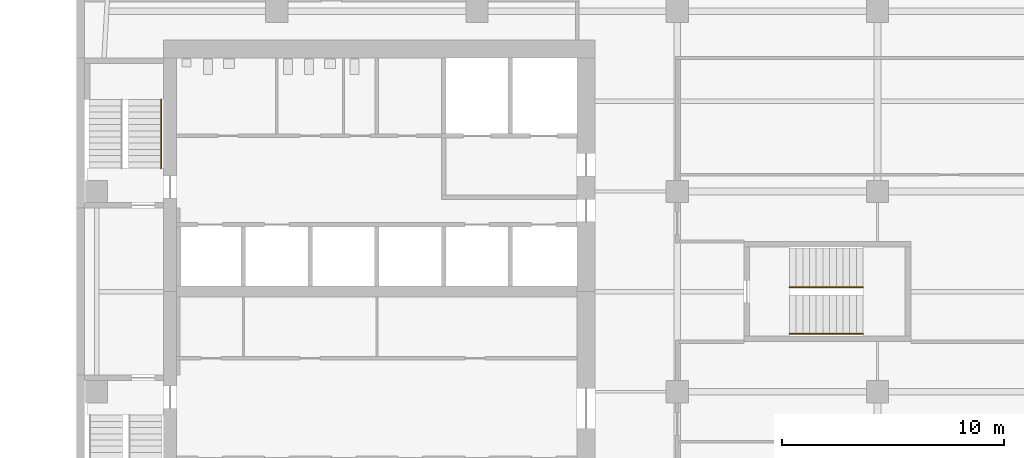
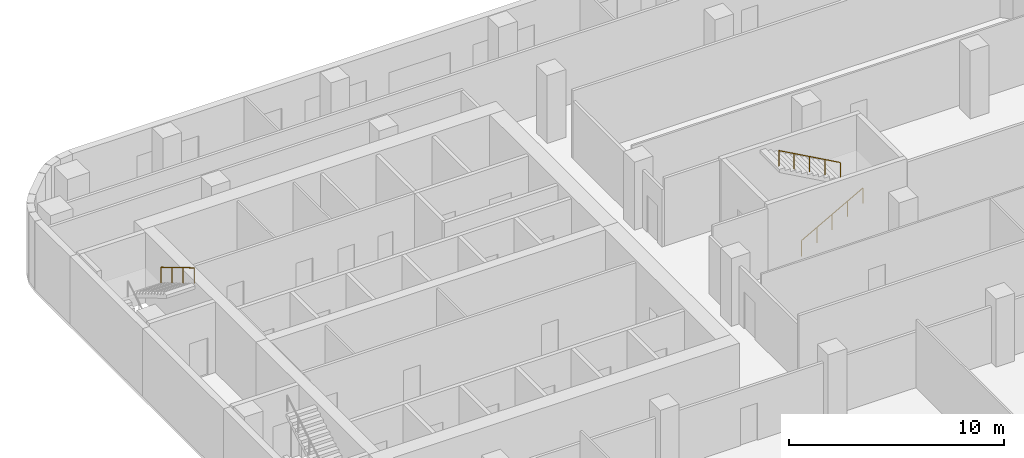
# One storey, part 13 of 14: 3 railings, 2 elements without a shape of their own.
"""IFC4 building model written with IfcOpenShell, lengths in metres."""

from ifc_helpers import new_model, si_unit, direction, frame, origin, origin_2d, place, context, subcontext, project, spatial, circle, extrude, material, type_object, element, aggregate, save


model = new_model("IFC4")

# Units and contexts
model_context = context("Model", 3, precision=1e-05, world=origin(), true_north=direction((0.0, 1.0)))
body_context = subcontext(model_context, "Body", "Model", "MODEL_VIEW")
ifc_project = project(units=[si_unit("LENGTHUNIT", "METRE"), si_unit("AREAUNIT", "SQUARE_METRE"), si_unit("VOLUMEUNIT", "CUBIC_METRE"), si_unit("PLANEANGLEUNIT", "RADIAN"), si_unit("MASSUNIT", "GRAM", prefix="KILO")], contexts=[model_context])

# Site, building, storey
site_placement = place(None, origin())
site = spatial("IfcSite", under=ifc_project, at=site_placement, CompositionType="ELEMENT")
building_placement = place(site_placement, origin())
building = spatial("IfcBuilding", under=site, at=building_placement, Name="Cinnabar Reach Civic Tower", CompositionType="ELEMENT")
storey_placement = place(building_placement, frame((0.0, 0.0, 132.0)))
storey = spatial("IfcBuildingStorey", under=building, at=storey_placement, Name="L31", CompositionType="ELEMENT", Elevation=132.0)

# Stair, railing
ifc_material_1 = material(Name="Concrete C40/50", Category="concrete")
stair_type = type_object("IfcStairType", Name="T1 Exit stair, half-turn", PredefinedType="HALF_TURN_STAIR", material=ifc_material_1)
stair_1_placement = place(storey_placement, origin())
stair_1 = element("IfcStair", 1, at=stair_1_placement, inside=storey, type_object=stair_type, Name="Stair T1-S2", PredefinedType="HALF_TURN_STAIR")
ifc_material_2 = material(Name="Stainless steel tube", Category="steel")
railing_type = type_object("IfcRailingType", Name="T1 Stair handrail, stainless tube 48", PredefinedType="HANDRAIL", material=ifc_material_2)
railing_1_placement = place(storey_placement, frame((3.8, 40.13, 2.1667)))
railing_1 = element("IfcRailing", 2, at=railing_1_placement, type_object=railing_type, Name="T1-S2 handrail 2", PredefinedType="HANDRAIL", context=body_context, shape_type="SweptSolid", body=[
    extrude(circle(Radius=0.024, at=origin_2d()), frame((0.0, 0.0, 0.876), z_axis=(0.0, -0.859296971757, 0.511476992962), x_axis=(1.0, 0.0, 0.0)), (0.0, 0.0, 1.0), 3.5843),
    extrude(circle(Radius=0.021, at=origin_2d()), origin(), (0.0, 0.0, 1.0), 0.852),
    extrude(circle(Radius=0.021, at=origin_2d()), frame((0.0, -1.0267, 0.6111)), (0.0, 0.0, 1.0), 0.852),
    extrude(circle(Radius=0.021, at=origin_2d()), frame((0.0, -2.0533, 1.2222)), (0.0, 0.0, 1.0), 0.852),
    extrude(circle(Radius=0.021, at=origin_2d()), frame((0.0, -3.08, 1.8333)), (0.0, 0.0, 1.0), 0.852),
])
aggregate(stair_1, [railing_1])

# Stair, railings
stair_2_placement = place(storey_placement, origin())
stair_2 = element("IfcStair", 3, at=stair_2_placement, inside=storey, type_object=stair_type, Name="Stair T1-S3", PredefinedType="HALF_TURN_STAIR")
railing_2_placement = place(storey_placement, frame((32.05, 29.6, 0.1667)))
railing_2 = element("IfcRailing", 4, at=railing_2_placement, type_object=railing_type, Name="T1-S3 handrail 1", PredefinedType="HANDRAIL", context=body_context, shape_type="SweptSolid", body=[
    extrude(circle(Radius=0.024, at=origin_2d()), frame((0.0, 0.0, 0.876), z_axis=(0.874161024642, 0.0, 0.485636183781), x_axis=(0.0, 1.0, 0.0)), (0.0, 0.0, 1.0), 3.775),
    extrude(circle(Radius=0.021, at=origin_2d()), origin(), (0.0, 0.0, 1.0), 0.852),
    extrude(circle(Radius=0.021, at=origin_2d()), frame((0.825, 0.0, 0.4583)), (0.0, 0.0, 1.0), 0.852),
    extrude(circle(Radius=0.021, at=origin_2d()), frame((1.65, 0.0, 0.9167)), (0.0, 0.0, 1.0), 0.852),
    extrude(circle(Radius=0.021, at=origin_2d()), frame((2.475, 0.0, 1.375)), (0.0, 0.0, 1.0), 0.852),
    extrude(circle(Radius=0.021, at=origin_2d()), frame((3.3, 0.0, 1.8333)), (0.0, 0.0, 1.0), 0.852),
])
railing_3_placement = place(storey_placement, frame((35.35, 31.7, 2.1667)))
railing_3 = element("IfcRailing", 5, at=railing_3_placement, type_object=railing_type, Name="T1-S3 handrail 2", PredefinedType="HANDRAIL", context=body_context, shape_type="SweptSolid", body=[
    extrude(circle(Radius=0.024, at=origin_2d()), frame((0.0, 0.0, 0.876), z_axis=(-0.874161024642, 0.0, 0.485636183781), x_axis=(0.0, -1.0, 0.0)), (0.0, 0.0, 1.0), 3.775),
    extrude(circle(Radius=0.021, at=origin_2d()), origin(), (0.0, 0.0, 1.0), 0.852),
    extrude(circle(Radius=0.021, at=origin_2d()), frame((-0.825, 0.0, 0.4583)), (0.0, 0.0, 1.0), 0.852),
    extrude(circle(Radius=0.021, at=origin_2d()), frame((-1.65, 0.0, 0.9167)), (0.0, 0.0, 1.0), 0.852),
    extrude(circle(Radius=0.021, at=origin_2d()), frame((-2.475, 0.0, 1.375)), (0.0, 0.0, 1.0), 0.852),
    extrude(circle(Radius=0.021, at=origin_2d()), frame((-3.3, 0.0, 1.8333)), (0.0, 0.0, 1.0), 0.852),
])
aggregate(stair_2, [railing_2, railing_3])

save(model, "model.ifc")
